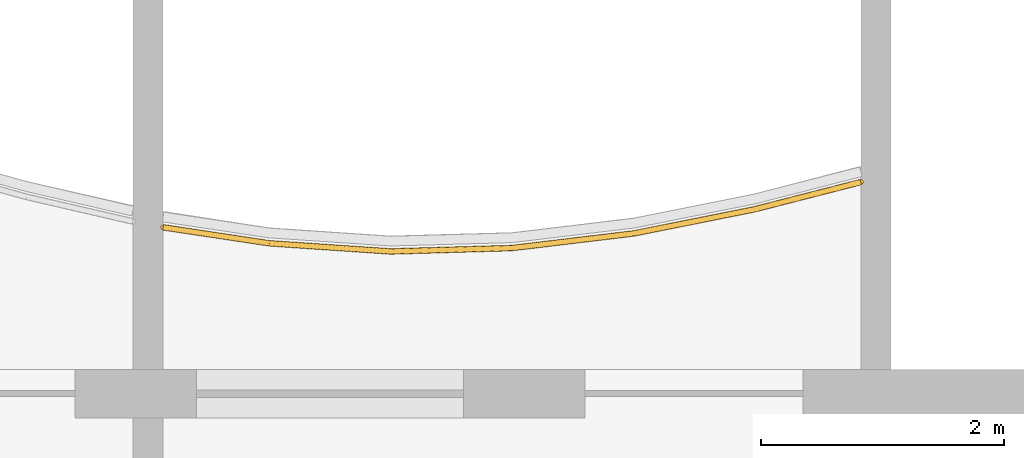
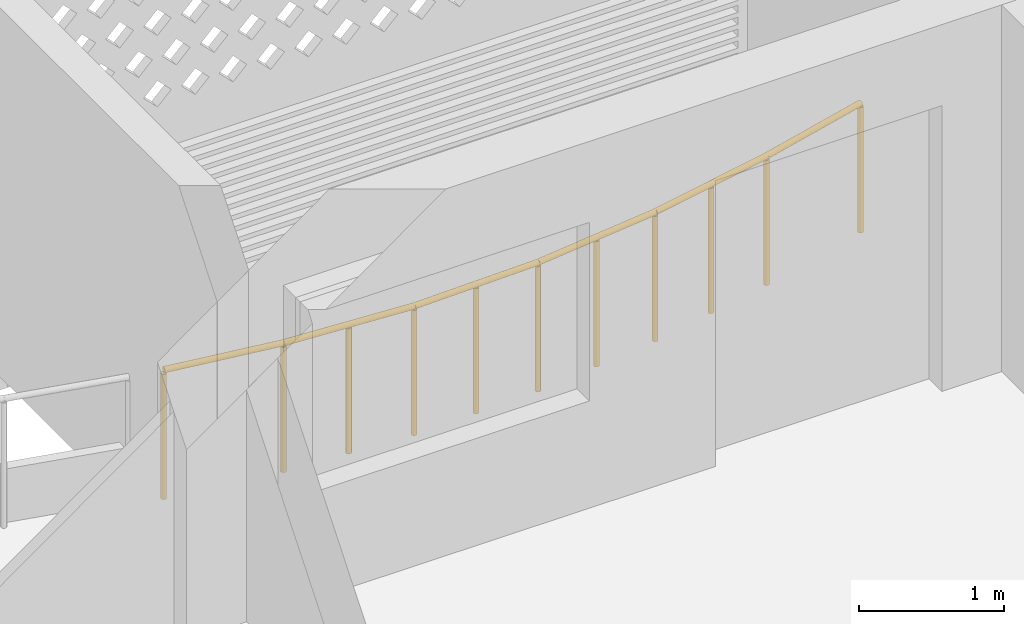
# One storey, part 26 of 27: 1 railing.
"""IFC4 building model written with IfcOpenShell, lengths in metres."""

from ifc_helpers import new_model, si_unit, direction, frame, origin, origin_2d, place, context, subcontext, project, spatial, circle, extrude, material, type_object, element, save


model = new_model("IFC4")

# Units and contexts
model_context = context("Model", 3, precision=1e-05, world=origin(), true_north=direction((0.0, 1.0)))
body_context = subcontext(model_context, "Body", "Model", "MODEL_VIEW")
ifc_project = project(units=[si_unit("LENGTHUNIT", "METRE"), si_unit("AREAUNIT", "SQUARE_METRE"), si_unit("VOLUMEUNIT", "CUBIC_METRE"), si_unit("PLANEANGLEUNIT", "RADIAN"), si_unit("MASSUNIT", "GRAM", prefix="KILO")], contexts=[model_context])

# Site, building, storey
site_placement = place(None, origin())
site = spatial("IfcSite", under=ifc_project, at=site_placement, CompositionType="ELEMENT")
building_placement = place(site_placement, origin())
building = spatial("IfcBuilding", under=site, at=building_placement, Name="Poui Terraces", CompositionType="ELEMENT")
storey_placement = place(building_placement, frame((0.0, 0.0, 254.39990234375)))
storey = spatial("IfcBuildingStorey", under=building, at=storey_placement, Name="L71", CompositionType="ELEMENT", Elevation=254.39990234375)

# Railing
ifc_material = material(Name="Painted steel fretwork", Category="steel")
railing_type = type_object("IfcRailingType", Name="BALCONY GUARD 1100", PredefinedType="GUARDRAIL", material=ifc_material)
railing_placement = place(storey_placement, frame((72.125, 42.57080078125, 0.0)))
element("IfcRailing", 1, at=railing_placement, inside=storey, type_object=railing_type, Name="BALCONY GUARD", PredefinedType="GUARDRAIL", context=body_context, shape_type="SweptSolid", body=[
    extrude(circle(Radius=0.02392578125, at=origin_2d()), frame((0.0, 0.0, 1.076171875), z_axis=(0.988879613557, -0.148718223133, 0.0), x_axis=(0.148718223133, 0.988879613557, 0.0)), (0.0, 0.0, 1.0), 0.884765625),
    extrude(circle(Radius=0.02392578125, at=origin_2d()), frame((0.875, -0.131591796875, 1.076171875), z_axis=(0.997753790287, -0.066987864338, 0.0), x_axis=(0.066987864338, 0.997753790287, 0.0)), (0.0, 0.0, 1.0), 1.002197265625),
    extrude(circle(Radius=0.02392578125, at=origin_2d()), frame((1.875, -0.19873046875, 1.076171875), z_axis=(0.999612913888, 0.027821257857, 0.0), x_axis=(-0.027821257857, 0.999612913888, 0.0)), (0.0, 0.0, 1.0), 1.00048828125),
    extrude(circle(Radius=0.02392578125, at=origin_2d()), frame((2.875, -0.1708984375, 1.076171875), z_axis=(0.992863067926, 0.119259919292, 0.0), x_axis=(-0.119259919292, 0.992863067926, 0.0)), (0.0, 0.0, 1.0), 1.007080078125),
    extrude(circle(Radius=0.02392578125, at=origin_2d()), frame((3.875, -0.05078125, 1.076171875), z_axis=(0.980635885947, 0.19583988152, 0.0), x_axis=(-0.19583988152, 0.980635885947, 0.0)), (0.0, 0.0, 1.0), 1.019775390625),
    extrude(circle(Radius=0.02392578125, at=origin_2d()), frame((4.875, 0.14892578125, 1.076171875), z_axis=(0.968727197282, 0.248128227429, 0.0), x_axis=(-0.248128227429, 0.968727197282, 0.0)), (0.0, 0.0, 1.0), 0.9033203125),
    extrude(circle(Radius=0.02099609375, at=origin_2d()), origin(), (0.0, 0.0, 1.0), 1.052001953125),
    extrude(circle(Radius=0.02099609375, at=origin_2d()), frame((0.875, -0.131591796875, 0.0)), (0.0, 0.0, 1.0), 1.052001953125),
    extrude(circle(Radius=0.02099609375, at=origin_2d()), frame((1.375, -0.1650390625, 0.0)), (0.0, 0.0, 1.0), 1.052001953125),
    extrude(circle(Radius=0.02099609375, at=origin_2d()), frame((1.875, -0.19873046875, 0.0)), (0.0, 0.0, 1.0), 1.052001953125),
    extrude(circle(Radius=0.02099609375, at=origin_2d()), frame((2.375, -0.184814453125, 0.0)), (0.0, 0.0, 1.0), 1.052001953125),
    extrude(circle(Radius=0.02099609375, at=origin_2d()), frame((2.875, -0.1708984375, 0.0)), (0.0, 0.0, 1.0), 1.052001953125),
    extrude(circle(Radius=0.02099609375, at=origin_2d()), frame((3.375, -0.11083984375, 0.0)), (0.0, 0.0, 1.0), 1.052001953125),
    extrude(circle(Radius=0.02099609375, at=origin_2d()), frame((3.875, -0.05078125, 0.0)), (0.0, 0.0, 1.0), 1.052001953125),
    extrude(circle(Radius=0.02099609375, at=origin_2d()), frame((4.375, 0.049072265625, 0.0)), (0.0, 0.0, 1.0), 1.052001953125),
    extrude(circle(Radius=0.02099609375, at=origin_2d()), frame((4.875, 0.14892578125, 0.0)), (0.0, 0.0, 1.0), 1.052001953125),
    extrude(circle(Radius=0.02099609375, at=origin_2d()), frame((5.75, 0.373046875, 0.0)), (0.0, 0.0, 1.0), 1.052001953125),
])

save(model, "model.ifc")
